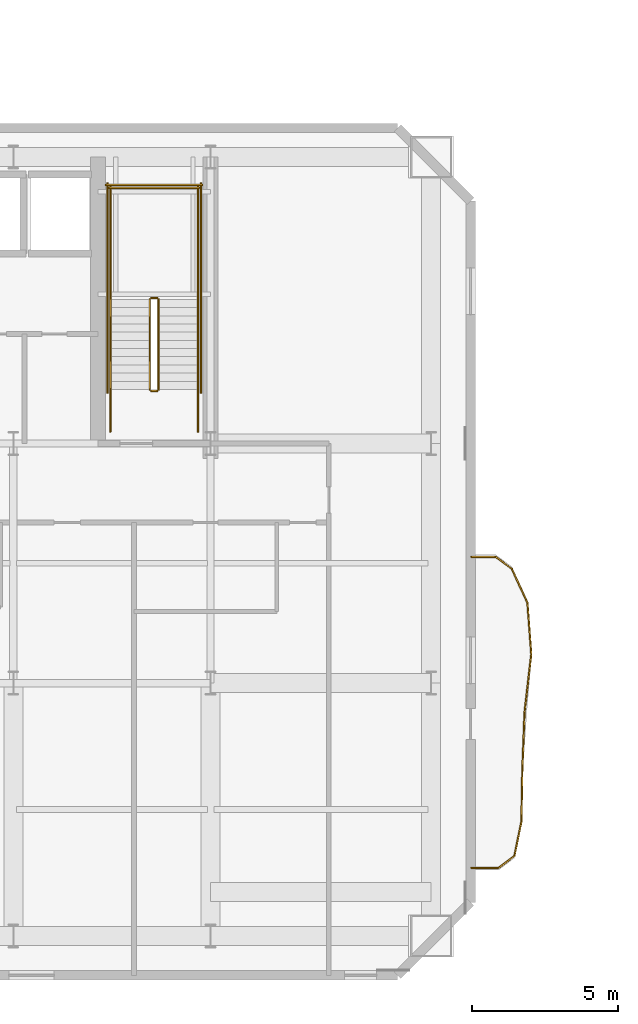
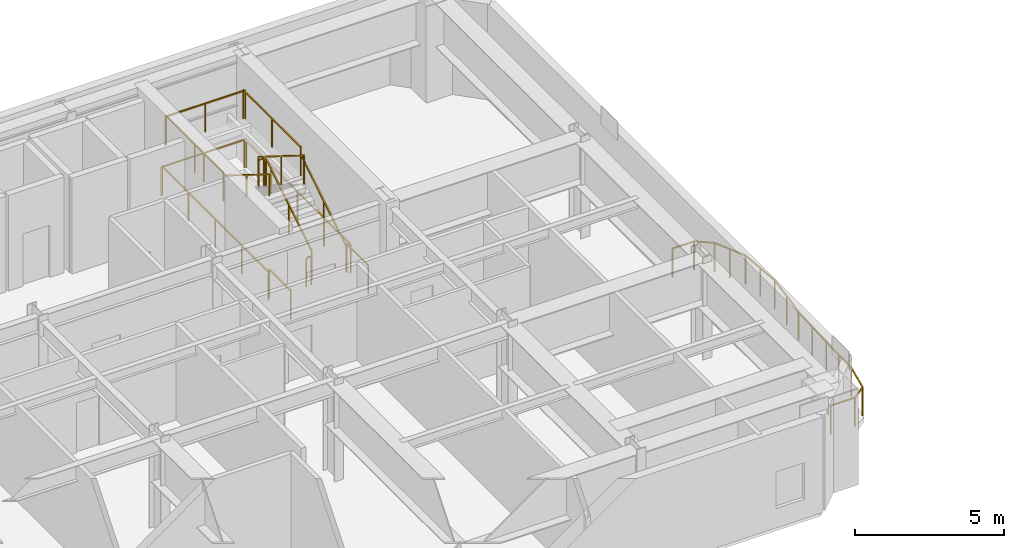
# One storey, part 13 of 15: 24 railings.
"""IFC4 building model written with IfcOpenShell, lengths in metres."""

from ifc_helpers import new_model, si_unit, direction, frame, origin, origin_2d, place, context, subcontext, project, spatial, rectangle, extrude, material, type_object, element, save


model = new_model("IFC4")

# Units and contexts
model_context = context("Model", 3, precision=1e-05, world=origin(), true_north=direction((0.0, 1.0)))
body_context = subcontext(model_context, "Body", "Model", "MODEL_VIEW")
ifc_project = project(units=[si_unit("LENGTHUNIT", "METRE"), si_unit("AREAUNIT", "SQUARE_METRE"), si_unit("VOLUMEUNIT", "CUBIC_METRE"), si_unit("PLANEANGLEUNIT", "RADIAN"), si_unit("MASSUNIT", "GRAM", prefix="KILO")], contexts=[model_context])

# Site, building, storey
site_placement = place(None, origin())
site = spatial("IfcSite", under=ifc_project, at=site_placement, CompositionType="ELEMENT")
building_placement = place(site_placement, origin())
building = spatial("IfcBuilding", under=site, at=building_placement, Name="Haevon Station Towers", CompositionType="ELEMENT")
storey_placement = place(building_placement, frame((0.0, 0.0, 129.60009765625)))
storey = spatial("IfcBuildingStorey", under=building, at=storey_placement, Name="L35", CompositionType="ELEMENT", Elevation=129.60009765625)

# Railings
ifc_material = material(Name="Steel S355", Category="steel")
railing_type_1 = type_object("IfcRailingType", Name="GRD-EXT1200", PredefinedType="GUARDRAIL", material=ifc_material)
railing_1_placement = place(storey_placement, frame((59.923583984375, 23.677734375, 0.0)))
element("IfcRailing", 1, at=railing_1_placement, inside=storey, type_object=railing_type_1, Name="L35 Perimeter Guardrail 1", PredefinedType="GUARDRAIL", context=body_context, shape_type="SweptSolid", body=[
    extrude(rectangle(XDim=0.048095703125, YDim=0.048095703125, at=origin_2d()), frame((0.0, 0.0, 1.17578125), z_axis=(0.999997290248, 0.002327981276, 0.0), x_axis=(-0.002327981276, 0.999997290248, 0.0)), (0.0, 0.0, 1.0), 0.94384765625),
    extrude(rectangle(XDim=0.0419921875, YDim=0.0419921875, at=origin_2d()), origin(), (0.0, 0.0, 1.0), 1.15185546875),
    extrude(rectangle(XDim=0.0419921875, YDim=0.0419921875, at=origin_2d()), frame((0.94384765625, 0.002197265625, 0.0)), (0.0, 0.0, 1.0), 1.15185546875),
])
railing_2_placement = place(storey_placement, frame((60.867431640625, 23.679931640625, 0.0)))
element("IfcRailing", 2, at=railing_2_placement, inside=storey, type_object=railing_type_1, Name="L35 Perimeter Guardrail 2", PredefinedType="GUARDRAIL", context=body_context, shape_type="SweptSolid", body=[
    extrude(rectangle(XDim=0.048095703125, YDim=0.048095703125, at=origin_2d()), frame((0.0, 0.0, 1.17578125), z_axis=(0.79178726734, 0.61079695749, 0.0), x_axis=(-0.61079695749, 0.79178726734, 0.0)), (0.0, 0.0, 1.0), 0.673095703125),
    extrude(rectangle(XDim=0.0419921875, YDim=0.0419921875, at=origin_2d()), origin(), (0.0, 0.0, 1.0), 1.15185546875),
    extrude(rectangle(XDim=0.0419921875, YDim=0.0419921875, at=origin_2d()), frame((0.532958984375, 0.4111328125, 0.0)), (0.0, 0.0, 1.0), 1.15185546875),
])
railing_3_placement = place(storey_placement, frame((61.400390625, 24.091064453125, 0.0)))
element("IfcRailing", 3, at=railing_3_placement, inside=storey, type_object=railing_type_1, Name="L35 Perimeter Guardrail 3", PredefinedType="GUARDRAIL", context=body_context, shape_type="SweptSolid", body=[
    extrude(rectangle(XDim=0.048095703125, YDim=0.048095703125, at=origin_2d()), frame((0.0, 0.0, 1.17578125), z_axis=(0.199771721582, 0.979842466551, 0.0), x_axis=(-0.979842466551, 0.199771721582, 0.0)), (0.0, 0.0, 1.0), 1.194091796875),
    extrude(rectangle(XDim=0.0419921875, YDim=0.0419921875, at=origin_2d()), origin(), (0.0, 0.0, 1.0), 1.15185546875),
    extrude(rectangle(XDim=0.0419921875, YDim=0.0419921875, at=origin_2d()), frame((0.238525390625, 1.169921875, 0.0)), (0.0, 0.0, 1.0), 1.15185546875),
])
railing_4_placement = place(storey_placement, frame((61.638916015625, 25.260986328125, 0.0)))
element("IfcRailing", 4, at=railing_4_placement, inside=storey, type_object=railing_type_1, Name="L35 Perimeter Guardrail 4", PredefinedType="GUARDRAIL", context=body_context, shape_type="SweptSolid", body=[
    extrude(rectangle(XDim=0.048095703125, YDim=0.048095703125, at=origin_2d()), frame((0.0, 0.0, 1.17578125), z_axis=(0.017572959065, 0.999845583633, 0.0), x_axis=(-0.999845583633, 0.017572959065, 0.0)), (0.0, 0.0, 1.0), 1.75048828125),
    extrude(rectangle(XDim=0.0419921875, YDim=0.0419921875, at=origin_2d()), origin(), (0.0, 0.0, 1.0), 1.15185546875),
    extrude(rectangle(XDim=0.0419921875, YDim=0.0419921875, at=origin_2d()), frame((0.015380859375, 0.875, 0.0)), (0.0, 0.0, 1.0), 1.15185546875),
    extrude(rectangle(XDim=0.0419921875, YDim=0.0419921875, at=origin_2d()), frame((0.03076171875, 1.750244140625, 0.0)), (0.0, 0.0, 1.0), 1.15185546875),
])
railing_5_placement = place(storey_placement, frame((61.669677734375, 27.01123046875, 0.0)))
element("IfcRailing", 5, at=railing_5_placement, inside=storey, type_object=railing_type_1, Name="L35 Perimeter Guardrail 5", PredefinedType="GUARDRAIL", context=body_context, shape_type="SweptSolid", body=[
    extrude(rectangle(XDim=0.048095703125, YDim=0.048095703125, at=origin_2d()), frame((0.0, 0.0, 1.17578125), z_axis=(0.038150453475, 0.999272006463, 0.0), x_axis=(-0.999272006463, 0.038150453475, 0.0)), (0.0, 0.0, 1.0), 1.990234375),
    extrude(rectangle(XDim=0.0419921875, YDim=0.0419921875, at=origin_2d()), origin(), (0.0, 0.0, 1.0), 1.15185546875),
    extrude(rectangle(XDim=0.0419921875, YDim=0.0419921875, at=origin_2d()), frame((0.0380859375, 0.994384765625, 0.0)), (0.0, 0.0, 1.0), 1.15185546875),
    extrude(rectangle(XDim=0.0419921875, YDim=0.0419921875, at=origin_2d()), frame((0.075927734375, 1.98876953125, 0.0)), (0.0, 0.0, 1.0), 1.15185546875),
])
railing_6_placement = place(storey_placement, frame((61.74560546875, 29.0, 0.0)))
element("IfcRailing", 6, at=railing_6_placement, inside=storey, type_object=railing_type_1, Name="L35 Perimeter Guardrail 6", PredefinedType="GUARDRAIL", context=body_context, shape_type="SweptSolid", body=[
    extrude(rectangle(XDim=0.048095703125, YDim=0.048095703125, at=origin_2d()), frame((0.0, 0.0, 1.17578125), z_axis=(0.114933725314, 0.993373161901, 0.0), x_axis=(-0.993373161901, 0.114933725314, 0.0)), (0.0, 0.0, 1.0), 2.005126953125),
    extrude(rectangle(XDim=0.0419921875, YDim=0.0419921875, at=origin_2d()), origin(), (0.0, 0.0, 1.0), 1.15185546875),
    extrude(rectangle(XDim=0.0419921875, YDim=0.0419921875, at=origin_2d()), frame((0.115234375, 0.99609375, 0.0)), (0.0, 0.0, 1.0), 1.15185546875),
    extrude(rectangle(XDim=0.0419921875, YDim=0.0419921875, at=origin_2d()), frame((0.23046875, 1.991943359375, 0.0)), (0.0, 0.0, 1.0), 1.15185546875),
])
railing_7_placement = place(storey_placement, frame((61.97607421875, 30.991943359375, 0.0)))
element("IfcRailing", 7, at=railing_7_placement, inside=storey, type_object=railing_type_1, Name="L35 Perimeter Guardrail 7", PredefinedType="GUARDRAIL", context=body_context, shape_type="SweptSolid", body=[
    extrude(rectangle(XDim=0.048095703125, YDim=0.048095703125, at=origin_2d()), frame((0.0, 0.0, 1.17578125), z_axis=(-0.074672193364, 0.997208134513, 0.0), x_axis=(-0.997208134513, -0.074672193364, 0.0)), (0.0, 0.0, 1.0), 1.75244140625),
    extrude(rectangle(XDim=0.0419921875, YDim=0.0419921875, at=origin_2d()), origin(), (0.0, 0.0, 1.0), 1.15185546875),
    extrude(rectangle(XDim=0.0419921875, YDim=0.0419921875, at=origin_2d()), frame((-0.0654296875, 0.873779296875, 0.0)), (0.0, 0.0, 1.0), 1.15185546875),
    extrude(rectangle(XDim=0.0419921875, YDim=0.0419921875, at=origin_2d()), frame((-0.130859375, 1.74755859375, 0.0)), (0.0, 0.0, 1.0), 1.15185546875),
])
railing_8_placement = place(storey_placement, frame((61.84521484375, 32.739501953125, 0.0)))
element("IfcRailing", 8, at=railing_8_placement, inside=storey, type_object=railing_type_1, Name="L35 Perimeter Guardrail 8", PredefinedType="GUARDRAIL", context=body_context, shape_type="SweptSolid", body=[
    extrude(rectangle(XDim=0.048095703125, YDim=0.048095703125, at=origin_2d()), frame((0.0, 0.0, 1.17578125), z_axis=(-0.413917488552, 0.910314403198, 0.0), x_axis=(-0.910314403198, -0.413917488552, 0.0)), (0.0, 0.0, 1.0), 1.28466796875),
    extrude(rectangle(XDim=0.0419921875, YDim=0.0419921875, at=origin_2d()), origin(), (0.0, 0.0, 1.0), 1.15185546875),
    extrude(rectangle(XDim=0.0419921875, YDim=0.0419921875, at=origin_2d()), frame((-0.265869140625, 0.584716796875, 0.0)), (0.0, 0.0, 1.0), 1.15185546875),
    extrude(rectangle(XDim=0.0419921875, YDim=0.0419921875, at=origin_2d()), frame((-0.53173828125, 1.16943359375, 0.0)), (0.0, 0.0, 1.0), 1.15185546875),
])
railing_9_placement = place(storey_placement, frame((61.3134765625, 33.908935546875, 0.0)))
element("IfcRailing", 9, at=railing_9_placement, inside=storey, type_object=railing_type_1, Name="L35 Perimeter Guardrail 9", PredefinedType="GUARDRAIL", context=body_context, shape_type="SweptSolid", body=[
    extrude(rectangle(XDim=0.048095703125, YDim=0.048095703125, at=origin_2d()), frame((0.0, 0.0, 1.17578125), z_axis=(-0.801826187868, 0.597557331516, 0.0), x_axis=(-0.597557331516, -0.801826187868, 0.0)), (0.0, 0.0, 1.0), 0.6884765625),
    extrude(rectangle(XDim=0.0419921875, YDim=0.0419921875, at=origin_2d()), origin(), (0.0, 0.0, 1.0), 1.15185546875),
    extrude(rectangle(XDim=0.0419921875, YDim=0.0419921875, at=origin_2d()), frame((-0.552001953125, 0.411376953125, 0.0)), (0.0, 0.0, 1.0), 1.15185546875),
])
railing_10_placement = place(storey_placement, frame((60.761474609375, 34.3203125, 0.0)))
element("IfcRailing", 10, at=railing_10_placement, inside=storey, type_object=railing_type_1, Name="L35 Perimeter Guardrail 10", PredefinedType="GUARDRAIL", context=body_context, shape_type="SweptSolid", body=[
    extrude(rectangle(XDim=0.048095703125, YDim=0.048095703125, at=origin_2d()), frame((0.0, 0.0, 1.17578125), z_axis=(-0.999997283225, 0.002330995998, 0.0), x_axis=(-0.002330995998, -0.999997283225, 0.0)), (0.0, 0.0, 1.0), 0.837890625),
    extrude(rectangle(XDim=0.0419921875, YDim=0.0419921875, at=origin_2d()), origin(), (0.0, 0.0, 1.0), 1.15185546875),
    extrude(rectangle(XDim=0.0419921875, YDim=0.0419921875, at=origin_2d()), frame((-0.837890625, 0.001953125, 0.0)), (0.0, 0.0, 1.0), 1.15185546875),
])
railing_type_2 = type_object("IfcRailingType", Name="GRD-STR1200", PredefinedType="GUARDRAIL", material=ifc_material)
railing_11_placement = place(storey_placement, frame((49.219970703125, 40.050048828125, 0.1748046875)))
element("IfcRailing", 11, at=railing_11_placement, inside=storey, type_object=railing_type_2, Name="L35 ST2 Stair Guard 1", PredefinedType="GUARDRAIL", context=body_context, shape_type="SweptSolid", body=[
    extrude(rectangle(XDim=0.048095703125, YDim=0.048095703125, at=origin_2d()), frame((0.0, 0.0, 1.17578125), z_axis=(0.0, 0.847979421464, 0.530029150871), x_axis=(-1.0, 0.0, 0.0)), (0.0, 0.0, 1.0), 3.632080078125),
    extrude(rectangle(XDim=0.0419921875, YDim=0.0419921875, at=origin_2d()), origin(), (0.0, 0.0, 1.0), 1.15185546875),
    extrude(rectangle(XDim=0.0419921875, YDim=0.0419921875, at=origin_2d()), frame((0.0, 1.5400390625, 0.96240234375)), (0.0, 0.0, 1.0), 1.15185546875),
    extrude(rectangle(XDim=0.0419921875, YDim=0.0419921875, at=origin_2d()), frame((0.0, 3.079833984375, 1.925048828125)), (0.0, 0.0, 1.0), 1.15185546875),
])
railing_12_placement = place(storey_placement, frame((49.169921875, 43.179931640625, 2.099853515625)))
element("IfcRailing", 12, at=railing_12_placement, inside=storey, type_object=railing_type_2, Name="L35 ST2 Stair Guard 2", PredefinedType="GUARDRAIL", context=body_context, shape_type="SweptSolid", body=[
    extrude(rectangle(XDim=0.048095703125, YDim=0.048095703125, at=origin_2d()), frame((0.0, 0.0, 1.17578125), z_axis=(-1.0, 0.0, 0.0), x_axis=(0.0, -1.0, 0.0)), (0.0, 0.0, 1.0), 0.199951171875),
    extrude(rectangle(XDim=0.0419921875, YDim=0.0419921875, at=origin_2d()), origin(), (0.0, 0.0, 1.0), 1.15185546875),
    extrude(rectangle(XDim=0.0419921875, YDim=0.0419921875, at=origin_2d()), frame((-0.199951171875, 0.0, 0.0)), (0.0, 0.0, 1.0), 1.15185546875),
])
for number, where, name in (
    (13, (50.570068359375, 43.1298828125, 2.099853515625), "L35 ST2 Stair Guard 3"),
    (14, (47.570068359375, 43.1298828125, 2.099853515625), "L35 ST2 Stair Guard 4"),
):
    element("IfcRailing", number, at=place(storey_placement, frame(where)), inside=storey, type_object=railing_type_2, Name=name, PredefinedType="GUARDRAIL", context=body_context, shape_type="SweptSolid", body=[
        extrude(rectangle(XDim=0.048095703125, YDim=0.048095703125, at=origin_2d()), frame((0.0, 0.0, 1.17578125), z_axis=(0.0, 1.0, 0.0), x_axis=(-1.0, 0.0, 0.0)), (0.0, 0.0, 1.0), 3.8701171875),
        extrude(rectangle(XDim=0.0419921875, YDim=0.0419921875, at=origin_2d()), origin(), (0.0, 0.0, 1.0), 1.15185546875),
        extrude(rectangle(XDim=0.0419921875, YDim=0.0419921875, at=origin_2d()), frame((0.0, 1.93505859375, 0.0)), (0.0, 0.0, 1.0), 1.15185546875),
        extrude(rectangle(XDim=0.0419921875, YDim=0.0419921875, at=origin_2d()), frame((0.0, 3.8701171875, 0.0)), (0.0, 0.0, 1.0), 1.15185546875),
    ])
railing_13_placement = place(storey_placement, frame((50.6201171875, 46.949951171875, 2.099853515625)))
element("IfcRailing", 15, at=railing_13_placement, inside=storey, type_object=railing_type_2, Name="L35 ST2 Stair Guard 5", PredefinedType="GUARDRAIL", context=body_context, shape_type="SweptSolid", body=[
    extrude(rectangle(XDim=0.048095703125, YDim=0.048095703125, at=origin_2d()), frame((0.0, 0.0, 1.17578125), z_axis=(-1.0, 0.0, 0.0), x_axis=(0.0, -1.0, 0.0)), (0.0, 0.0, 1.0), 3.10009765625),
    extrude(rectangle(XDim=0.0419921875, YDim=0.0419921875, at=origin_2d()), origin(), (0.0, 0.0, 1.0), 1.15185546875),
    extrude(rectangle(XDim=0.0419921875, YDim=0.0419921875, at=origin_2d()), frame((-1.550048828125, 0.0, 0.0)), (0.0, 0.0, 1.0), 1.15185546875),
    extrude(rectangle(XDim=0.0419921875, YDim=0.0419921875, at=origin_2d()), frame((-3.10009765625, 0.0, 0.0)), (0.0, 0.0, 1.0), 1.15185546875),
])
railing_14_placement = place(storey_placement, frame((48.919921875, 43.1298828125, 2.27490234375)))
element("IfcRailing", 16, at=railing_14_placement, inside=storey, type_object=railing_type_2, Name="L35 ST2 Stair Guard 6", PredefinedType="GUARDRAIL", context=body_context, shape_type="SweptSolid", body=[
    extrude(rectangle(XDim=0.048095703125, YDim=0.048095703125, at=origin_2d()), frame((0.0, 0.0, 1.17578125), z_axis=(0.0, -0.847979421464, 0.530029150871), x_axis=(1.0, 0.0, 0.0)), (0.0, 0.0, 1.0), 3.632080078125),
    extrude(rectangle(XDim=0.0419921875, YDim=0.0419921875, at=origin_2d()), origin(), (0.0, 0.0, 1.0), 1.15185546875),
    extrude(rectangle(XDim=0.0419921875, YDim=0.0419921875, at=origin_2d()), frame((0.0, -1.5400390625, 0.96240234375)), (0.0, 0.0, 1.0), 1.15185546875),
    extrude(rectangle(XDim=0.0419921875, YDim=0.0419921875, at=origin_2d()), frame((0.0, -3.079833984375, 1.925048828125)), (0.0, 0.0, 1.0), 1.15185546875),
])
railing_15_placement = place(storey_placement, frame((49.169921875, 40.0, 0.0)))
element("IfcRailing", 17, at=railing_15_placement, inside=storey, type_object=railing_type_2, Name="L35 ST2 Stair Guard 7", PredefinedType="GUARDRAIL", context=body_context, shape_type="SweptSolid", body=[
    extrude(rectangle(XDim=0.048095703125, YDim=0.048095703125, at=origin_2d()), frame((0.0, 0.0, 1.17578125), z_axis=(-1.0, 0.0, 0.0), x_axis=(0.0, -1.0, 0.0)), (0.0, 0.0, 1.0), 0.199951171875),
    extrude(rectangle(XDim=0.0419921875, YDim=0.0419921875, at=origin_2d()), origin(), (0.0, 0.0, 1.0), 1.15185546875),
    extrude(rectangle(XDim=0.0419921875, YDim=0.0419921875, at=origin_2d()), frame((-0.199951171875, 0.0, 0.0)), (0.0, 0.0, 1.0), 1.15185546875),
])
for number, where, name in (
    (18, (50.570068359375, 38.60009765625, 0.0), "L35 ST2 Stair Guard 8"),
    (19, (47.570068359375, 38.60009765625, 0.0), "L35 ST2 Stair Guard 9"),
):
    element("IfcRailing", number, at=place(storey_placement, frame(where)), inside=storey, type_object=railing_type_2, Name=name, PredefinedType="GUARDRAIL", context=body_context, shape_type="SweptSolid", body=[
        extrude(rectangle(XDim=0.048095703125, YDim=0.048095703125, at=origin_2d()), frame((0.0, 0.0, 1.17578125), z_axis=(0.0, 1.0, 0.0), x_axis=(-1.0, 0.0, 0.0)), (0.0, 0.0, 1.0), 1.449951171875),
        extrude(rectangle(XDim=0.0419921875, YDim=0.0419921875, at=origin_2d()), origin(), (0.0, 0.0, 1.0), 1.15185546875),
        extrude(rectangle(XDim=0.0419921875, YDim=0.0419921875, at=origin_2d()), frame((0.0, 1.449951171875, 0.0)), (0.0, 0.0, 1.0), 1.15185546875),
    ])
for number, where, name in (
    (20, (50.669921875, 39.949951171875, 0.0), "L35 ST2 Stair Guard 10"),
    (21, (47.469970703125, 39.949951171875, 0.0), "L35 ST2 Stair Guard 11"),
):
    element("IfcRailing", number, at=place(storey_placement, frame(where)), inside=storey, type_object=railing_type_2, Name=name, PredefinedType="GUARDRAIL", context=body_context, shape_type="SweptSolid", body=[
        extrude(rectangle(XDim=0.048095703125, YDim=0.048095703125, at=origin_2d()), frame((0.0, 0.0, 1.17578125), z_axis=(0.0, 1.0, 0.0), x_axis=(-1.0, 0.0, 0.0)), (0.0, 0.0, 1.0), 7.150146484375),
        extrude(rectangle(XDim=0.0419921875, YDim=0.0419921875, at=origin_2d()), origin(), (0.0, 0.0, 1.0), 1.15185546875),
        extrude(rectangle(XDim=0.0419921875, YDim=0.0419921875, at=origin_2d()), frame((0.0, 1.78759765625, 0.0)), (0.0, 0.0, 1.0), 1.15185546875),
        extrude(rectangle(XDim=0.0419921875, YDim=0.0419921875, at=origin_2d()), frame((0.0, 3.5751953125, 0.0)), (0.0, 0.0, 1.0), 1.15185546875),
        extrude(rectangle(XDim=0.0419921875, YDim=0.0419921875, at=origin_2d()), frame((0.0, 5.362548828125, 0.0)), (0.0, 0.0, 1.0), 1.15185546875),
        extrude(rectangle(XDim=0.0419921875, YDim=0.0419921875, at=origin_2d()), frame((0.0, 7.150146484375, 0.0)), (0.0, 0.0, 1.0), 1.15185546875),
    ])
railing_16_placement = place(storey_placement, frame((50.719970703125, 47.050048828125, 0.0)))
element("IfcRailing", 22, at=railing_16_placement, inside=storey, type_object=railing_type_2, Name="L35 ST2 Stair Guard 12", PredefinedType="GUARDRAIL", context=body_context, shape_type="SweptSolid", body=[
    extrude(rectangle(XDim=0.048095703125, YDim=0.048095703125, at=origin_2d()), frame((0.0, 0.0, 1.17578125), z_axis=(-1.0, 0.0, 0.0), x_axis=(0.0, -1.0, 0.0)), (0.0, 0.0, 1.0), 3.300048828125),
    extrude(rectangle(XDim=0.0419921875, YDim=0.0419921875, at=origin_2d()), origin(), (0.0, 0.0, 1.0), 1.15185546875),
    extrude(rectangle(XDim=0.0419921875, YDim=0.0419921875, at=origin_2d()), frame((-1.64990234375, 0.0, 0.0)), (0.0, 0.0, 1.0), 1.15185546875),
    extrude(rectangle(XDim=0.0419921875, YDim=0.0419921875, at=origin_2d()), frame((-3.300048828125, 0.0, 0.0)), (0.0, 0.0, 1.0), 1.15185546875),
])
railing_type_3 = type_object("IfcRailingType", Name="HND-STR900", PredefinedType="HANDRAIL", material=ifc_material)
railing_17_placement = place(storey_placement, frame((50.570068359375, 40.050048828125, 0.1748046875)))
element("IfcRailing", 23, at=railing_17_placement, inside=storey, type_object=railing_type_3, Name="L35 ST2 Stair Handrail 1", PredefinedType="HANDRAIL", context=body_context, shape_type="SweptSolid", body=[
    extrude(rectangle(XDim=0.048095703125, YDim=0.048095703125, at=origin_2d()), frame((0.0, 0.0, 0.8759765625), z_axis=(0.0, 0.847979421464, 0.530029150871), x_axis=(-1.0, 0.0, 0.0)), (0.0, 0.0, 1.0), 3.632080078125),
    extrude(rectangle(XDim=0.0419921875, YDim=0.0419921875, at=origin_2d()), origin(), (0.0, 0.0, 1.0), 0.851806640625),
    extrude(rectangle(XDim=0.0419921875, YDim=0.0419921875, at=origin_2d()), frame((0.0, 1.5400390625, 0.96240234375)), (0.0, 0.0, 1.0), 0.851806640625),
    extrude(rectangle(XDim=0.0419921875, YDim=0.0419921875, at=origin_2d()), frame((0.0, 3.079833984375, 1.925048828125)), (0.0, 0.0, 1.0), 0.851806640625),
])
railing_18_placement = place(storey_placement, frame((47.570068359375, 43.1298828125, 2.27490234375)))
element("IfcRailing", 24, at=railing_18_placement, inside=storey, type_object=railing_type_3, Name="L35 ST2 Stair Handrail 2", PredefinedType="HANDRAIL", context=body_context, shape_type="SweptSolid", body=[
    extrude(rectangle(XDim=0.048095703125, YDim=0.048095703125, at=origin_2d()), frame((0.0, 0.0, 0.8759765625), z_axis=(0.0, -0.847979421464, 0.530029150871), x_axis=(1.0, 0.0, 0.0)), (0.0, 0.0, 1.0), 3.632080078125),
    extrude(rectangle(XDim=0.0419921875, YDim=0.0419921875, at=origin_2d()), origin(), (0.0, 0.0, 1.0), 0.851806640625),
    extrude(rectangle(XDim=0.0419921875, YDim=0.0419921875, at=origin_2d()), frame((0.0, -1.5400390625, 0.96240234375)), (0.0, 0.0, 1.0), 0.851806640625),
    extrude(rectangle(XDim=0.0419921875, YDim=0.0419921875, at=origin_2d()), frame((0.0, -3.079833984375, 1.925048828125)), (0.0, 0.0, 1.0), 0.851806640625),
])

save(model, "model.ifc")
